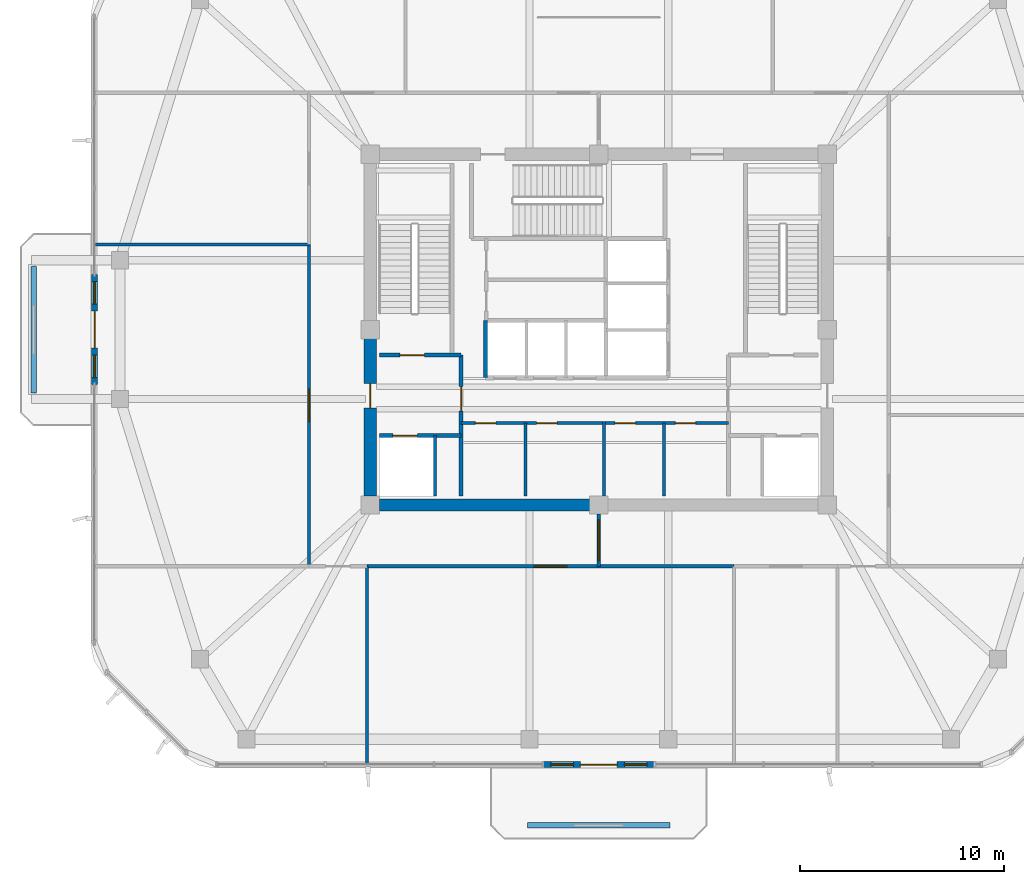
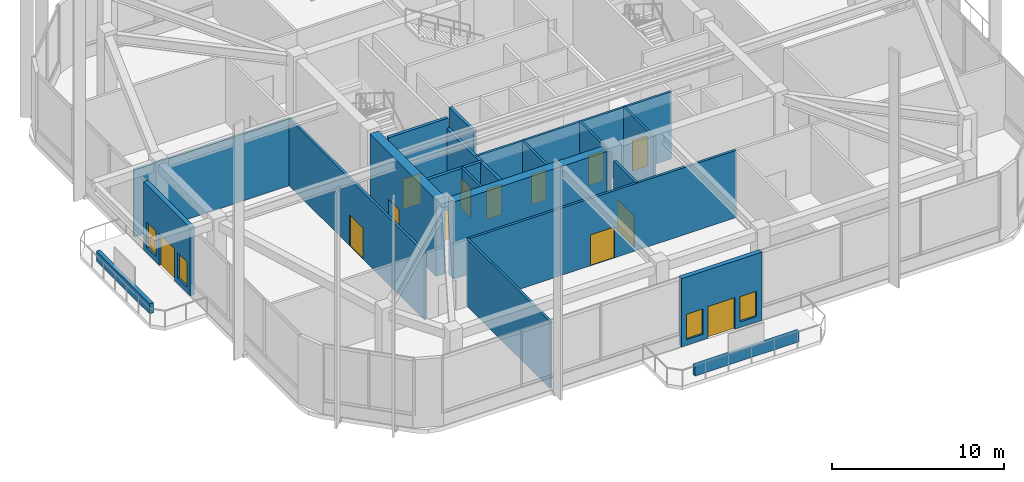
# One storey, part 7 of 14: 21 walls, 13 doors, 4 windows, 17 openings.
"""IFC4 building model written with IfcOpenShell, lengths in metres."""

from ifc_helpers import new_model, si_unit, derived_unit, direction, frame, frame_2d, origin, place, context, subcontext, project, spatial, rectangle, extrude, material, layer, layer_set, type_object, element, fill, save


model = new_model("IFC4")

# Units and contexts
model_context = context("Model", 3, precision=1e-05, world=origin(), true_north=direction((0.0, 1.0)))
body_context = subcontext(model_context, "Body", "Model", "MODEL_VIEW")
ifc_project = project(units=[si_unit("LENGTHUNIT", "METRE"), si_unit("AREAUNIT", "SQUARE_METRE"), si_unit("VOLUMEUNIT", "CUBIC_METRE"), si_unit("PLANEANGLEUNIT", "RADIAN"), si_unit("MASSUNIT", "GRAM", prefix="KILO"), derived_unit("THERMALTRANSMITTANCEUNIT", [(si_unit("POWERUNIT", "WATT"), 1), (si_unit("LENGTHUNIT", "METRE"), -2), (si_unit("THERMODYNAMICTEMPERATUREUNIT", "KELVIN"), -1)])], contexts=[model_context])

# Site, building, storey
site_placement = place(None, origin())
site = spatial("IfcSite", under=ifc_project, at=site_placement, CompositionType="ELEMENT")
building_placement = place(site_placement, origin())
building = spatial("IfcBuilding", under=site, at=building_placement, Name="Koralith Skygarden Medical Center", CompositionType="ELEMENT")
storey_placement = place(building_placement, frame((0.0, 0.0, 237.06005859375)))
storey = spatial("IfcBuildingStorey", under=building, at=storey_placement, Name="L61", CompositionType="ELEMENT", Elevation=237.06005859375)

# Wall, openings, doors
ifc_material_1 = material(Name="Gypsum Board Partition")
ifc_layer_1 = layer(ifc_material_1, 0.14990234375)
ifc_layer_set_1 = layer_set([ifc_layer_1], Name="Gypsum Board Partition")
wall_type_1 = type_object("IfcWallType", Name="Clinical Acoustic Partition 150", PredefinedType="PARTITIONING", material=ifc_layer_set_1)
wall_1_placement = place(storey_placement, frame((30.25, 21.320068359375, 0.0), z_axis=(0.0, 0.0, 1.0), x_axis=(1.0, 0.0, 0.0)))
wall_1 = element("IfcWall", 1, at=wall_1_placement, inside=storey, type_object=wall_type_1, Name="L61 Clinical Acoustic Partition 150 W-CORE-L61-FREED-LR-N", PredefinedType="PARTITIONING", context=body_context, shape_type="SweptSolid", body=[
    extrude(rectangle(XDim=7.0, YDim=0.14990234375, at=frame_2d((3.5, 0.0))), origin(), (0.0, 0.0, 1.0), 4.77001953125),
])
opening_1_placement = place(wall_1_placement, frame((0.699951171875, 0.0, 0.0)))
opening_1 = element("IfcOpeningElement", 2, at=opening_1_placement, cuts=wall_1, Name="Opening D-SUP", PredefinedType="OPENING", context=body_context, shape_type="SweptSolid", body=[
    extrude(rectangle(XDim=1.0, YDim=2.14990234375, at=frame_2d((0.5, 1.074951171875))), frame((0.0, 0.0849609375, 0.0), z_axis=(0.0, -1.0, 0.0), x_axis=(1.0, 0.0, 0.0)), (0.0, 0.0, 1.0), 0.169921875),
])
opening_2_placement = place(wall_1_placement, frame((3.699951171875, 0.0, 0.0)))
opening_2 = element("IfcOpeningElement", 3, at=opening_2_placement, cuts=wall_1, Name="Opening D-SUP", PredefinedType="OPENING", context=body_context, shape_type="SweptSolid", body=[
    extrude(rectangle(XDim=1.0, YDim=2.14990234375, at=frame_2d((0.5, 1.074951171875))), frame((0.0, 0.0849609375, 0.0), z_axis=(0.0, -1.0, 0.0), x_axis=(1.0, 0.0, 0.0)), (0.0, 0.0, 1.0), 0.169921875),
])
ifc_material_2 = material(Name="Aluminium 6063-T6", Category="aluminium")
door_type_1 = type_object("IfcDoorType", Name="Clinical Support Door D-SUP 1000", OperationType="NOTDEFINED", PredefinedType="DOOR", material=ifc_material_2)
door_1_placement = place(opening_1_placement, frame((1.0, 0.0, 0.0), z_axis=(0.0, 0.0, 1.0), x_axis=(-1.0, 0.0, 0.0)))
door_1 = element("IfcDoor", 4, at=door_1_placement, inside=storey, type_object=door_type_1, Name="L61 Medication Preparation Door", OperationType="SINGLE_SWING_LEFT", OverallHeight=2.14990234375, OverallWidth=1.0, PredefinedType="DOOR", context=body_context, shape_type="SweptSolid", body=[
    extrude(rectangle(XDim=1.0, YDim=2.14990234375, at=frame_2d((0.5, 1.074951171875))), frame((0.0, 0.02490234375, 0.0), z_axis=(0.0, -1.0, 0.0), x_axis=(1.0, 0.0, 0.0)), (0.0, 0.0, 1.0), 0.050048828125),
])
fill(opening_1, door_1)
door_2_placement = place(opening_2_placement, frame((1.0, 0.0, 0.0), z_axis=(0.0, 0.0, 1.0), x_axis=(-1.0, 0.0, 0.0)))
door_2 = element("IfcDoor", 5, at=door_2_placement, inside=storey, type_object=door_type_1, Name="L61 Telemetry Room Door", OperationType="SINGLE_SWING_RIGHT", OverallHeight=2.14990234375, OverallWidth=1.0, PredefinedType="DOOR", context=body_context, shape_type="SweptSolid", body=[
    extrude(rectangle(XDim=1.0, YDim=2.14990234375, at=frame_2d((0.5, 1.074951171875))), frame((0.0, 0.02490234375, 0.0), z_axis=(0.0, -1.0, 0.0), x_axis=(1.0, 0.0, 0.0)), (0.0, 0.0, 1.0), 0.050048828125),
])
fill(opening_2, door_2)

# Wall
wall_2_placement = place(storey_placement, frame((33.39990234375, 17.75, 0.0), z_axis=(0.0, 0.0, 1.0), x_axis=(0.0, 1.0, 0.0)))
element("IfcWall", 6, at=wall_2_placement, inside=storey, type_object=wall_type_1, Name="L61 Clinical Acoustic Partition 150 W-CORE-L61-FREED-LR-M", PredefinedType="PARTITIONING", context=body_context, shape_type="SweptSolid", body=[
    extrude(rectangle(XDim=3.570068359375, YDim=0.14990234375, at=frame_2d((1.78515625, 0.0))), origin(), (0.0, 0.0, 1.0), 4.77001953125),
])

# Wall, openings, doors
wall_3_placement = place(storey_placement, frame((37.25, 21.320068359375, 0.0), z_axis=(0.0, 0.0, 1.0), x_axis=(1.0, 0.0, 0.0)))
wall_3 = element("IfcWall", 7, at=wall_3_placement, inside=storey, type_object=wall_type_1, Name="L61 Clinical Acoustic Partition 150 W-CORE-L61-FREED-MR-N", PredefinedType="PARTITIONING", context=body_context, shape_type="SweptSolid", body=[
    extrude(rectangle(XDim=6.10009765625, YDim=0.14990234375, at=frame_2d((3.050048828125, 0.0))), origin(), (0.0, 0.0, 1.0), 4.77001953125),
])
opening_3_placement = place(wall_3_placement, frame((0.550048828125, 0.0, 0.0)))
opening_3 = element("IfcOpeningElement", 8, at=opening_3_placement, cuts=wall_3, Name="Opening D-SUP", PredefinedType="OPENING", context=body_context, shape_type="SweptSolid", body=[
    extrude(rectangle(XDim=1.0, YDim=2.14990234375, at=frame_2d((0.5, 1.074951171875))), frame((0.0, 0.0849609375, 0.0), z_axis=(0.0, -1.0, 0.0), x_axis=(1.0, 0.0, 0.0)), (0.0, 0.0, 1.0), 0.169921875),
])
opening_4_placement = place(wall_3_placement, frame((3.5, 0.0, 0.0)))
opening_4 = element("IfcOpeningElement", 9, at=opening_4_placement, cuts=wall_3, Name="Opening D-SUP", PredefinedType="OPENING", context=body_context, shape_type="SweptSolid", body=[
    extrude(rectangle(XDim=1.0, YDim=2.14990234375, at=frame_2d((0.5, 1.074951171875))), frame((0.0, 0.0849609375, 0.0), z_axis=(0.0, -1.0, 0.0), x_axis=(1.0, 0.0, 0.0)), (0.0, 0.0, 1.0), 0.169921875),
])
door_3_placement = place(opening_3_placement, frame((1.0, 0.0, 0.0), z_axis=(0.0, 0.0, 1.0), x_axis=(-1.0, 0.0, 0.0)))
door_3 = element("IfcDoor", 10, at=door_3_placement, inside=storey, type_object=door_type_1, Name="L61 Satellite Pharmacy Door", OperationType="SINGLE_SWING_LEFT", OverallHeight=2.14990234375, OverallWidth=1.0, PredefinedType="DOOR", context=body_context, shape_type="SweptSolid", body=[
    extrude(rectangle(XDim=1.0, YDim=2.14990234375, at=frame_2d((0.5, 1.074951171875))), frame((0.0, 0.02490234375, 0.0), z_axis=(0.0, -1.0, 0.0), x_axis=(1.0, 0.0, 0.0)), (0.0, 0.0, 1.0), 0.050048828125),
])
fill(opening_3, door_3)
door_4_placement = place(opening_4_placement, frame((1.0, 0.0, 0.0), z_axis=(0.0, 0.0, 1.0), x_axis=(-1.0, 0.0, 0.0)))
door_4 = element("IfcDoor", 11, at=door_4_placement, inside=storey, type_object=door_type_1, Name="L61 Biomedical Equipment Door", OperationType="SINGLE_SWING_RIGHT", OverallHeight=2.14990234375, OverallWidth=1.0, PredefinedType="DOOR", context=body_context, shape_type="SweptSolid", body=[
    extrude(rectangle(XDim=1.0, YDim=2.14990234375, at=frame_2d((0.5, 1.074951171875))), frame((0.0, 0.02490234375, 0.0), z_axis=(0.0, -1.0, 0.0), x_axis=(1.0, 0.0, 0.0)), (0.0, 0.0, 1.0), 0.050048828125),
])
fill(opening_4, door_4)

# Walls
wall_4_placement = place(storey_placement, frame((40.199951171875, 17.75, 0.0), z_axis=(0.0, 0.0, 1.0), x_axis=(0.0, 1.0, 0.0)))
element("IfcWall", 12, at=wall_4_placement, inside=storey, type_object=wall_type_1, Name="L61 Clinical Acoustic Partition 150 W-CORE-L61-FREED-MR-M", PredefinedType="PARTITIONING", context=body_context, shape_type="SweptSolid", body=[
    extrude(rectangle(XDim=3.570068359375, YDim=0.14990234375, at=frame_2d((1.78515625, 0.0))), origin(), (0.0, 0.0, 1.0), 4.77001953125),
])
wall_5_placement = place(storey_placement, frame((25.634033203125, 14.2900390625, 0.0), z_axis=(0.0, 0.0, 1.0), x_axis=(0.0, -1.0, 0.0)))
element("IfcWall", 13, at=wall_5_placement, inside=storey, type_object=wall_type_1, Name="L61 Clinical Acoustic Partition 150 W-AMPART-L61-S-1", PredefinedType="PARTITIONING", context=body_context, shape_type="SweptSolid", body=[
    extrude(rectangle(XDim=9.68994140625, YDim=0.14990234375, at=frame_2d((4.844970703125, 0.0))), origin(), (0.0, 0.0, 1.0), 4.77001953125),
])
wall_6_placement = place(storey_placement, frame((22.7900390625, 30.080078125, 0.0), z_axis=(0.0, 0.0, 1.0), x_axis=(-1.0, 0.0, 0.0)))
element("IfcWall", 14, at=wall_6_placement, inside=storey, type_object=wall_type_1, Name="L61 Clinical Acoustic Partition 150 W-AMPART-L61-W-1", PredefinedType="PARTITIONING", context=body_context, shape_type="SweptSolid", body=[
    extrude(rectangle(XDim=10.489990234375, YDim=0.14990234375, at=frame_2d((5.2451171875, 0.0))), origin(), (0.0, 0.0, 1.0), 4.77001953125),
])

# Wall, opening, door
ifc_layer_2 = layer(ifc_material_1, 0.1650390625)
ifc_layer_set_2 = layer_set([ifc_layer_2], Name="Gypsum Board Partition")
wall_type_2 = type_object("IfcWallType", Name="Clinical Corridor Partition 165", PredefinedType="PARTITIONING", material=ifc_layer_set_2)
wall_7_placement = place(storey_placement, frame((25.634033203125, 14.2900390625, 0.0), z_axis=(0.0, 0.0, 1.0), x_axis=(1.0, 0.0, 0.0)))
wall_7 = element("IfcWall", 15, at=wall_7_placement, inside=storey, type_object=wall_type_2, Name="L61 Clinical Corridor Partition 165 W-AMCOR-L61-S-2", PredefinedType="PARTITIONING", context=body_context, shape_type="SweptSolid", body=[
    extrude(rectangle(XDim=17.995849609375, YDim=0.1650390625, at=frame_2d((8.998046875, 0.0))), origin(), (0.0, 0.0, 1.0), 4.77001953125),
])
opening_5_placement = place(wall_7_placement, frame((8.197998046875, 0.0, 0.0)))
opening_5 = element("IfcOpeningElement", 16, at=opening_5_placement, cuts=wall_7, Name="Opening D-DBL", PredefinedType="OPENING", context=body_context, shape_type="SweptSolid", body=[
    extrude(rectangle(XDim=1.60009765625, YDim=2.199951171875, at=frame_2d((0.800048828125, 1.10009765625))), frame((0.0, 0.092529296875, 0.0), z_axis=(0.0, -1.0, 0.0), x_axis=(1.0, 0.0, 0.0)), (0.0, 0.0, 1.0), 0.18505859375),
])
door_type_2 = type_object("IfcDoorType", Name="Double Clinical Suite Door D-DBL 1600", OperationType="NOTDEFINED", PredefinedType="DOOR", material=ifc_material_2)
door_5_placement = place(opening_5_placement, frame((1.60009765625, 0.0, 0.0), z_axis=(0.0, 0.0, 1.0), x_axis=(-1.0, 0.0, 0.0)))
door_5 = element("IfcDoor", 17, at=door_5_placement, inside=storey, type_object=door_type_2, Name="L61 South Sky-Garden Verandah Lounge Door", OperationType="DOUBLE_DOOR_SINGLE_SWING", OverallHeight=2.199951171875, OverallWidth=1.60009765625, PredefinedType="DOOR", context=body_context, shape_type="SweptSolid", body=[
    extrude(rectangle(XDim=1.60009765625, YDim=2.199951171875, at=frame_2d((0.800048828125, 1.10009765625))), frame((0.0, 0.02490234375, 0.0), z_axis=(0.0, -1.0, 0.0), x_axis=(1.0, 0.0, 0.0)), (0.0, 0.0, 1.0), 0.050048828125),
])
fill(opening_5, door_5)

wall_8_placement = place(storey_placement, frame((22.7900390625, 14.2900390625, 0.0), z_axis=(0.0, 0.0, 1.0), x_axis=(0.0, 1.0, 0.0)))
wall_8 = element("IfcWall", 18, at=wall_8_placement, inside=storey, type_object=wall_type_2, Name="L61 Clinical Corridor Partition 165 W-AMCOR-L61-W-1", PredefinedType="PARTITIONING", context=body_context, shape_type="SweptSolid", body=[
    extrude(rectangle(XDim=15.7900390625, YDim=0.1650390625, at=frame_2d((7.89501953125, 0.0))), origin(), (0.0, 0.0, 1.0), 4.77001953125),
])
opening_6_placement = place(wall_8_placement, frame((7.094970703125, 0.0, 0.0)))
opening_6 = element("IfcOpeningElement", 19, at=opening_6_placement, cuts=wall_8, Name="Opening D-DBL", PredefinedType="OPENING", context=body_context, shape_type="SweptSolid", body=[
    extrude(rectangle(XDim=1.60009765625, YDim=2.199951171875, at=frame_2d((0.800048828125, 1.10009765625))), frame((0.0, 0.092529296875, 0.0), z_axis=(0.0, -1.0, 0.0), x_axis=(1.0, 0.0, 0.0)), (0.0, 0.0, 1.0), 0.18505859375),
])
door_6_placement = place(opening_6_placement, frame((1.60009765625, 0.0, 0.0), z_axis=(0.0, 0.0, 1.0), x_axis=(-1.0, 0.0, 0.0)))
door_6 = element("IfcDoor", 20, at=door_6_placement, inside=storey, type_object=door_type_2, Name="L61 West Sky-Garden Verandah Lounge Door", OperationType="DOUBLE_DOOR_SINGLE_SWING", OverallHeight=2.199951171875, OverallWidth=1.60009765625, PredefinedType="DOOR", context=body_context, shape_type="SweptSolid", body=[
    extrude(rectangle(XDim=1.60009765625, YDim=2.199951171875, at=frame_2d((0.800048828125, 1.10009765625))), frame((0.0, 0.02490234375, 0.0), z_axis=(0.0, -1.0, 0.0), x_axis=(1.0, 0.0, 0.0)), (0.0, 0.0, 1.0), 0.050048828125),
])
fill(opening_6, door_6)

ifc_layer_3 = layer(ifc_material_1, 0.199951171875)
ifc_layer_set_3 = layer_set([ifc_layer_3], Name="Gypsum Board Partition")
wall_type_3 = type_object("IfcWallType", Name="Fire Shaft Wall 200", PredefinedType="SOLIDWALL", material=ifc_layer_set_3)
wall_9_placement = place(storey_placement, frame((26.25, 20.699951171875, 0.0), z_axis=(0.0, 0.0, 1.0), x_axis=(1.0, 0.0, 0.0)))
wall_9 = element("IfcWall", 21, at=wall_9_placement, inside=storey, type_object=wall_type_3, Name="L61 Fire Shaft Wall 200 W-CORE-L61-FF1-N", PredefinedType="SOLIDWALL", context=body_context, shape_type="SweptSolid", body=[
    extrude(rectangle(XDim=4.0, YDim=0.199951171875, at=frame_2d((2.0, 0.0))), origin(), (0.0, 0.0, 1.0), 4.77001953125),
])
opening_7_placement = place(wall_9_placement, frame((0.64990234375, 0.0, 0.0)))
opening_7 = element("IfcOpeningElement", 22, at=opening_7_placement, cuts=wall_9, Name="Opening LD-FF", PredefinedType="OPENING", context=body_context, shape_type="SweptSolid", body=[
    extrude(rectangle(XDim=1.199951171875, YDim=2.14990234375, at=frame_2d((0.60009765625, 1.074951171875))), frame((0.0, 0.10986328125, 0.0), z_axis=(0.0, -1.0, 0.0), x_axis=(1.0, 0.0, 0.0)), (0.0, 0.0, 1.0), 0.219970703125),
])
ifc_material_3 = material(Name="Steel ASTM A500 Grade C", Category="steel")
door_type_3 = type_object("IfcDoorType", Name="Fire Lift Sliding Landing Door LD-FF 1200", OperationType="NOTDEFINED", PredefinedType="DOOR", material=ifc_material_3)
door_7_placement = place(opening_7_placement, origin())
door_7 = element("IfcDoor", 23, at=door_7_placement, inside=storey, type_object=door_type_3, Name="L61 Fire Service Elevator FF1 Landing Door", OperationType="SLIDING_TO_LEFT", OverallHeight=2.14990234375, OverallWidth=1.199951171875, PredefinedType="DOOR", context=body_context, shape_type="SweptSolid", body=[
    extrude(rectangle(XDim=1.199951171875, YDim=2.14990234375, at=frame_2d((0.60009765625, 1.074951171875))), frame((0.0, 0.02490234375, 0.0), z_axis=(0.0, -1.0, 0.0), x_axis=(1.0, 0.0, 0.0)), (0.0, 0.0, 1.0), 0.050048828125),
])
fill(opening_7, door_7)

wall_10_placement = place(storey_placement, frame((30.25, 17.75, 0.0), z_axis=(0.0, 0.0, 1.0), x_axis=(0.0, 1.0, 0.0)))
wall_10 = element("IfcWall", 24, at=wall_10_placement, inside=storey, type_object=wall_type_3, Name="L61 Fire Shaft Wall 200 W-CORE-L61-FSAEW-E", PredefinedType="SOLIDWALL", context=body_context, shape_type="SweptSolid", body=[
    extrude(rectangle(XDim=6.89990234375, YDim=0.199951171875, at=frame_2d((3.449951171875, 0.0))), origin(), (0.0, 0.0, 1.0), 4.77001953125),
])
opening_8_placement = place(wall_10_placement, frame((4.14990234375, 0.0, 0.0)))
opening_8 = element("IfcOpeningElement", 25, at=opening_8_placement, cuts=wall_10, Name="Opening D-ST60", PredefinedType="OPENING", context=body_context, shape_type="SweptSolid", body=[
    extrude(rectangle(XDim=1.199951171875, YDim=2.14990234375, at=frame_2d((0.60009765625, 1.074951171875))), frame((0.0, 0.10986328125, 0.0), z_axis=(0.0, -1.0, 0.0), x_axis=(1.0, 0.0, 0.0)), (0.0, 0.0, 1.0), 0.219970703125),
])
door_type_4 = type_object("IfcDoorType", Name="Smokeproof Stair Fire Door FD60S 1200", OperationType="NOTDEFINED", PredefinedType="DOOR", material=ifc_material_3)
door_8_placement = place(opening_8_placement, origin())
door_8 = element("IfcDoor", 26, at=door_8_placement, inside=storey, type_object=door_type_4, Name="L61 West Firefighting Lobby Inner Fire Door", OperationType="SINGLE_SWING_LEFT", OverallHeight=2.14990234375, OverallWidth=1.199951171875, PredefinedType="DOOR", context=body_context, shape_type="SweptSolid", body=[
    extrude(rectangle(XDim=1.199951171875, YDim=2.14990234375, at=frame_2d((0.60009765625, 1.074951171875))), frame((0.0, 0.02490234375, 0.0), z_axis=(0.0, -1.0, 0.0), x_axis=(1.0, 0.0, 0.0)), (0.0, 0.0, 1.0), 0.050048828125),
])
fill(opening_8, door_8)

# Wall
wall_11_placement = place(storey_placement, frame((31.449951171875, 23.5400390625, 0.0), z_axis=(0.0, 0.0, 1.0), x_axis=(0.0, 1.0, 0.0)))
element("IfcWall", 27, at=wall_11_placement, inside=storey, type_object=wall_type_3, Name="L61 Fire Shaft Wall 200 W-CORE-L61-PH-W", PredefinedType="SOLIDWALL", context=body_context, shape_type="SweptSolid", body=[
    extrude(rectangle(XDim=2.81005859375, YDim=0.199951171875, at=frame_2d((1.405029296875, 0.0))), origin(), (0.0, 0.0, 1.0), 4.77001953125),
])

# Wall, opening, door
ifc_layer_4 = layer(ifc_material_1, 0.179931640625)
ifc_layer_set_4 = layer_set([ifc_layer_4], Name="Gypsum Board Partition")
wall_type_4 = type_object("IfcWallType", Name="Group I-2 Smoke Barrier Wall 180", PredefinedType="PARTITIONING", material=ifc_layer_set_4)
wall_12_placement = place(storey_placement, frame((37.0, 14.2900390625, 0.0), z_axis=(0.0, 0.0, 1.0), x_axis=(0.0, 1.0, 0.0)))
wall_12 = element("IfcWall", 28, at=wall_12_placement, inside=storey, type_object=wall_type_4, Name="L61 Group I-2 Smoke Barrier Wall 180 W-SMK-L61-S", PredefinedType="PARTITIONING", context=body_context, shape_type="SweptSolid", body=[
    extrude(rectangle(XDim=2.56005859375, YDim=0.179931640625, at=frame_2d((1.280029296875, 0.0))), origin(), (0.0, 0.0, 1.0), 4.77001953125),
])
opening_9_placement = place(wall_12_placement, frame((0.280029296875, 0.0, 0.0)))
opening_9 = element("IfcOpeningElement", 29, at=opening_9_placement, cuts=wall_12, Name="Opening D-SMK", PredefinedType="OPENING", context=body_context, shape_type="SweptSolid", body=[
    extrude(rectangle(XDim=2.0, YDim=2.199951171875, at=frame_2d((1.0, 1.10009765625))), frame((0.0, 0.099853515625, 0.0), z_axis=(0.0, -1.0, 0.0), x_axis=(1.0, 0.0, 0.0)), (0.0, 0.0, 1.0), 0.199951171875),
])
door_type_5 = type_object("IfcDoorType", Name="Cross-Corridor Double Smoke Door FD60S 2000", OperationType="NOTDEFINED", PredefinedType="DOOR", material=ifc_material_3)
door_9_placement = place(opening_9_placement, frame((2.0, 0.0, 0.0), z_axis=(0.0, 0.0, 1.0), x_axis=(-1.0, 0.0, 0.0)))
door_9 = element("IfcDoor", 30, at=door_9_placement, inside=storey, type_object=door_type_5, Name="L61 S Smoke Compartment Cross-Corridor Door", OperationType="DOUBLE_DOOR_SINGLE_SWING", OverallHeight=2.199951171875, OverallWidth=2.0, PredefinedType="DOOR", context=body_context, shape_type="SweptSolid", body=[
    extrude(rectangle(XDim=2.0, YDim=2.199951171875, at=frame_2d((1.0, 1.10009765625))), frame((0.0, 0.02490234375, 0.0), z_axis=(0.0, -1.0, 0.0), x_axis=(1.0, 0.0, 0.0)), (0.0, 0.0, 1.0), 0.050048828125),
])
fill(opening_9, door_9)

# Wall, openings, door, windows
ifc_material_4 = material(Name="Warm Oolitic Limestone Cladding", Category="masonry")
ifc_layer_5 = layer(ifc_material_4, 0.300048828125)
ifc_layer_set_5 = layer_set([ifc_layer_5], Name="Warm Oolitic Limestone Cladding")
wall_type_5 = type_object("IfcWallType", Name="Oolitic Limestone Insulated Facade Wall 300", PredefinedType="SOLIDWALL", material=ifc_layer_set_5)
wall_13_placement = place(storey_placement, frame((34.299072265625, 4.580078125, 0.0), z_axis=(0.0, 0.0, 1.0), x_axis=(1.0, 0.0, 0.0)))
wall_13 = element("IfcWall", 31, at=wall_13_placement, inside=storey, type_object=wall_type_5, Name="L61 Terrace Portal Wall S", PredefinedType="SOLIDWALL", context=body_context, shape_type="SweptSolid", body=[
    extrude(rectangle(XDim=5.39990234375, YDim=0.300048828125, at=frame_2d((2.699951171875, 0.0))), origin(), (0.0, 0.0, 1.0), 4.849853515625),
])
opening_10_placement = place(wall_13_placement, frame((1.800048828125, 0.0, 0.0)))
opening_10 = element("IfcOpeningElement", 32, at=opening_10_placement, cuts=wall_13, Name="Opening D-SG", PredefinedType="OPENING", context=body_context, shape_type="SweptSolid", body=[
    extrude(rectangle(XDim=1.800048828125, YDim=2.25, at=frame_2d((0.89990234375, 1.125))), frame((0.0, 0.159912109375, 0.0), z_axis=(0.0, -1.0, 0.0), x_axis=(1.0, 0.0, 0.0)), (0.0, 0.0, 1.0), 0.320068359375),
])
opening_11_placement = place(wall_13_placement, frame((0.35009765625, 0.0, 0.39990234375)))
opening_11 = element("IfcOpeningElement", 33, at=opening_11_placement, cuts=wall_13, Name="Opening W-04", PredefinedType="OPENING", context=body_context, shape_type="SweptSolid", body=[
    extrude(rectangle(XDim=1.10009765625, YDim=1.800048828125, at=frame_2d((0.550048828125, 0.89990234375))), frame((0.0, 0.159912109375, 0.0), z_axis=(0.0, -1.0, 0.0), x_axis=(1.0, 0.0, 0.0)), (0.0, 0.0, 1.0), 0.320068359375),
])
opening_12_placement = place(wall_13_placement, frame((3.949951171875, 0.0, 0.39990234375)))
opening_12 = element("IfcOpeningElement", 34, at=opening_12_placement, cuts=wall_13, Name="Opening W-04", PredefinedType="OPENING", context=body_context, shape_type="SweptSolid", body=[
    extrude(rectangle(XDim=1.10009765625, YDim=1.800048828125, at=frame_2d((0.550048828125, 0.89990234375))), frame((0.0, 0.159912109375, 0.0), z_axis=(0.0, -1.0, 0.0), x_axis=(1.0, 0.0, 0.0)), (0.0, 0.0, 1.0), 0.320068359375),
])
door_type_6 = type_object("IfcDoorType", Name="Sky-Garden Double Terrace Door D-SG 1800", OperationType="NOTDEFINED", PredefinedType="DOOR", material=ifc_material_2)
door_10_placement = place(opening_10_placement, origin())
door_10 = element("IfcDoor", 35, at=door_10_placement, inside=storey, type_object=door_type_6, Name="L61 S Outdoor Terrace Access Door", OperationType="DOUBLE_DOOR_SINGLE_SWING", OverallHeight=2.25, OverallWidth=1.800048828125, PredefinedType="DOOR", context=body_context, shape_type="SweptSolid", body=[
    extrude(rectangle(XDim=1.800048828125, YDim=2.25, at=frame_2d((0.89990234375, 1.125))), frame((0.0, 0.02490234375, 0.0), z_axis=(0.0, -1.0, 0.0), x_axis=(1.0, 0.0, 0.0)), (0.0, 0.0, 1.0), 0.050048828125),
])
fill(opening_10, door_10)
ifc_material_5 = material(Name="Clear Laminated Glass", Category="glass")
window_type = type_object("IfcWindowType", Name="Sky-Garden Portal Sidelight Window W-04 1100x1800", PartitioningType="SINGLE_PANEL", PredefinedType="WINDOW", material=ifc_material_5)
window_1_placement = place(opening_11_placement, origin())
window_1 = element("IfcWindow", 36, at=window_1_placement, inside=storey, type_object=window_type, Name="L61 S Portal Sidelight 1", OverallHeight=1.800048828125, OverallWidth=1.10009765625, PartitioningType="SINGLE_PANEL", PredefinedType="WINDOW", context=body_context, shape_type="SweptSolid", body=[
    extrude(rectangle(XDim=1.10009765625, YDim=1.800048828125, at=frame_2d((0.550048828125, 0.89990234375))), frame((0.0, 0.030029296875, 0.0), z_axis=(0.0, -1.0, 0.0), x_axis=(1.0, 0.0, 0.0)), (0.0, 0.0, 1.0), 0.06005859375),
])
fill(opening_11, window_1)
window_2_placement = place(opening_12_placement, origin())
window_2 = element("IfcWindow", 37, at=window_2_placement, inside=storey, type_object=window_type, Name="L61 S Portal Sidelight 2", OverallHeight=1.800048828125, OverallWidth=1.10009765625, PartitioningType="SINGLE_PANEL", PredefinedType="WINDOW", context=body_context, shape_type="SweptSolid", body=[
    extrude(rectangle(XDim=1.10009765625, YDim=1.800048828125, at=frame_2d((0.550048828125, 0.89990234375))), frame((0.0, 0.030029296875, 0.0), z_axis=(0.0, -1.0, 0.0), x_axis=(1.0, 0.0, 0.0)), (0.0, 0.0, 1.0), 0.06005859375),
])
fill(opening_12, window_2)

wall_14_placement = place(storey_placement, frame((12.280029296875, 28.60009765625, 0.0), z_axis=(0.0, 0.0, 1.0), x_axis=(0.0, -1.0, 0.0)))
wall_14 = element("IfcWall", 38, at=wall_14_placement, inside=storey, type_object=wall_type_5, Name="L61 Terrace Portal Wall W", PredefinedType="SOLIDWALL", context=body_context, shape_type="SweptSolid", body=[
    extrude(rectangle(XDim=5.400146484375, YDim=0.300048828125, at=frame_2d((2.7001953125, 0.0))), origin(), (0.0, 0.0, 1.0), 4.849853515625),
])
opening_13_placement = place(wall_14_placement, frame((1.800048828125, 0.0, 0.0)))
opening_13 = element("IfcOpeningElement", 39, at=opening_13_placement, cuts=wall_14, Name="Opening D-SG", PredefinedType="OPENING", context=body_context, shape_type="SweptSolid", body=[
    extrude(rectangle(XDim=1.800048828125, YDim=2.25, at=frame_2d((0.89990234375, 1.125))), frame((0.0, 0.159912109375, 0.0), z_axis=(0.0, -1.0, 0.0), x_axis=(1.0, 0.0, 0.0)), (0.0, 0.0, 1.0), 0.320068359375),
])
opening_14_placement = place(wall_14_placement, frame((0.35009765625, 0.0, 0.39990234375)))
opening_14 = element("IfcOpeningElement", 40, at=opening_14_placement, cuts=wall_14, Name="Opening W-04", PredefinedType="OPENING", context=body_context, shape_type="SweptSolid", body=[
    extrude(rectangle(XDim=1.10009765625, YDim=1.800048828125, at=frame_2d((0.550048828125, 0.89990234375))), frame((0.0, 0.159912109375, 0.0), z_axis=(0.0, -1.0, 0.0), x_axis=(1.0, 0.0, 0.0)), (0.0, 0.0, 1.0), 0.320068359375),
])
opening_15_placement = place(wall_14_placement, frame((3.949951171875, 0.0, 0.39990234375)))
opening_15 = element("IfcOpeningElement", 41, at=opening_15_placement, cuts=wall_14, Name="Opening W-04", PredefinedType="OPENING", context=body_context, shape_type="SweptSolid", body=[
    extrude(rectangle(XDim=1.10009765625, YDim=1.800048828125, at=frame_2d((0.550048828125, 0.89990234375))), frame((0.0, 0.159912109375, 0.0), z_axis=(0.0, -1.0, 0.0), x_axis=(1.0, 0.0, 0.0)), (0.0, 0.0, 1.0), 0.320068359375),
])
door_11_placement = place(opening_13_placement, origin())
door_11 = element("IfcDoor", 42, at=door_11_placement, inside=storey, type_object=door_type_6, Name="L61 W Outdoor Terrace Access Door", OperationType="DOUBLE_DOOR_SINGLE_SWING", OverallHeight=2.25, OverallWidth=1.800048828125, PredefinedType="DOOR", context=body_context, shape_type="SweptSolid", body=[
    extrude(rectangle(XDim=1.800048828125, YDim=2.25, at=frame_2d((0.89990234375, 1.125))), frame((0.0, 0.02490234375, 0.0), z_axis=(0.0, -1.0, 0.0), x_axis=(1.0, 0.0, 0.0)), (0.0, 0.0, 1.0), 0.050048828125),
])
fill(opening_13, door_11)
window_3_placement = place(opening_14_placement, origin())
window_3 = element("IfcWindow", 43, at=window_3_placement, inside=storey, type_object=window_type, Name="L61 W Portal Sidelight 1", OverallHeight=1.800048828125, OverallWidth=1.10009765625, PartitioningType="SINGLE_PANEL", PredefinedType="WINDOW", context=body_context, shape_type="SweptSolid", body=[
    extrude(rectangle(XDim=1.10009765625, YDim=1.800048828125, at=frame_2d((0.550048828125, 0.89990234375))), frame((0.0, 0.030029296875, 0.0), z_axis=(0.0, -1.0, 0.0), x_axis=(1.0, 0.0, 0.0)), (0.0, 0.0, 1.0), 0.06005859375),
])
fill(opening_14, window_3)
window_4_placement = place(opening_15_placement, origin())
window_4 = element("IfcWindow", 44, at=window_4_placement, inside=storey, type_object=window_type, Name="L61 W Portal Sidelight 2", OverallHeight=1.800048828125, OverallWidth=1.10009765625, PartitioningType="SINGLE_PANEL", PredefinedType="WINDOW", context=body_context, shape_type="SweptSolid", body=[
    extrude(rectangle(XDim=1.10009765625, YDim=1.800048828125, at=frame_2d((0.550048828125, 0.89990234375))), frame((0.0, 0.030029296875, 0.0), z_axis=(0.0, -1.0, 0.0), x_axis=(1.0, 0.0, 0.0)), (0.0, 0.0, 1.0), 0.06005859375),
])
fill(opening_15, window_4)

# Walls
ifc_layer_6 = layer(ifc_material_1, 0.14990234375)
ifc_layer_set_6 = layer_set([ifc_layer_6], Name="Gypsum Board Partition")
wall_type_6 = type_object("IfcWallType", Name="Shaft Partition Wall 150", PredefinedType="PARTITIONING", material=ifc_layer_set_6)
wall_15_placement = place(storey_placement, frame((28.969970703125, 17.75, 0.0), z_axis=(0.0, 0.0, 1.0), x_axis=(0.0, 1.0, 0.0)))
element("IfcWall", 45, at=wall_15_placement, inside=storey, type_object=wall_type_6, Name="L61 Shaft Partition Wall 150 W-CORE-L61-RSRW-DIV", PredefinedType="PARTITIONING", context=body_context, shape_type="SweptSolid", body=[
    extrude(rectangle(XDim=2.949951171875, YDim=0.14990234375, at=frame_2d((1.47509765625, 0.0))), origin(), (0.0, 0.0, 1.0), 4.77001953125),
])
wall_16_placement = place(storey_placement, frame((37.25, 17.75, 0.0), z_axis=(0.0, 0.0, 1.0), x_axis=(0.0, 1.0, 0.0)))
element("IfcWall", 46, at=wall_16_placement, inside=storey, type_object=wall_type_6, Name="L61 Shaft Partition Wall 150 W-CORE-L61-PL-PM-SEP", PredefinedType="PARTITIONING", context=body_context, shape_type="SweptSolid", body=[
    extrude(rectangle(XDim=3.64990234375, YDim=0.14990234375, at=frame_2d((1.824951171875, 0.0))), origin(), (0.0, 0.0, 1.0), 4.77001953125),
])
ifc_material_6 = material(Name="Precast concrete C40/50", Category="concrete")
ifc_layer_7 = layer(ifc_material_6, 0.25)
ifc_layer_set_7 = layer_set([ifc_layer_7], Name="Precast concrete C40/50")
wall_type_7 = type_object("IfcWallType", Name="Structural Concrete Balcony Planter Kerb 250", PredefinedType="PARAPET", material=ifc_layer_set_7)
wall_17_placement = place(storey_placement, frame((33.5, 1.60009765625, 0.0), z_axis=(0.0, 0.0, 1.0), x_axis=(1.0, 0.0, 0.0)))
element("IfcWall", 47, at=wall_17_placement, inside=storey, type_object=wall_type_7, Name="L61 S Structural Tree PLANTER Box", PredefinedType="PARAPET", context=body_context, shape_type="SweptSolid", body=[
    extrude(rectangle(XDim=7.0, YDim=0.25, at=frame_2d((3.5, 0.0))), origin(), (0.0, 0.0, 1.0), 0.719970703125),
])
wall_18_placement = place(storey_placement, frame((9.300048828125, 22.800048828125, 0.0), z_axis=(0.0, 0.0, 1.0), x_axis=(0.0, 1.0, 0.0)))
element("IfcWall", 48, at=wall_18_placement, inside=storey, type_object=wall_type_7, Name="L61 W Structural Tree PLANTER Box", PredefinedType="PARAPET", context=body_context, shape_type="SweptSolid", body=[
    extrude(rectangle(XDim=6.199951171875, YDim=0.25, at=frame_2d((3.10009765625, 0.0))), origin(), (0.0, 0.0, 1.0), 0.719970703125),
])

# Wall, opening, door
ifc_material_7 = material(Name="Concrete C45/55", Category="concrete")
ifc_layer_8 = layer(ifc_material_7, 0.199951171875)
ifc_layer_set_8 = layer_set([ifc_layer_8], Name="Concrete C45/55")
wall_type_8 = type_object("IfcWallType", Name="Structural Stair Shaft Wall 200", PredefinedType="SHEAR", material=ifc_layer_set_8)
wall_19_placement = place(storey_placement, frame((26.25, 24.64990234375, 0.0), z_axis=(0.0, 0.0, 1.0), x_axis=(1.0, 0.0, 0.0)))
wall_19 = element("IfcWall", 49, at=wall_19_placement, inside=storey, type_object=wall_type_8, Name="L61 Structural Stair Shaft Wall 200 W-CORE-L61-ST1-S", PredefinedType="SHEAR", context=body_context, shape_type="SweptSolid", body=[
    extrude(rectangle(XDim=4.0, YDim=0.199951171875, at=frame_2d((2.0, 0.0))), origin(), (0.0, 0.0, 1.0), 5.47998046875),
])
opening_16_placement = place(wall_19_placement, frame((1.0, 0.0, 0.0)))
opening_16 = element("IfcOpeningElement", 50, at=opening_16_placement, cuts=wall_19, Name="Opening D-ST60", PredefinedType="OPENING", context=body_context, shape_type="SweptSolid", body=[
    extrude(rectangle(XDim=1.199951171875, YDim=2.14990234375, at=frame_2d((0.60009765625, 1.074951171875))), frame((0.0, 0.10986328125, 0.0), z_axis=(0.0, -1.0, 0.0), x_axis=(1.0, 0.0, 0.0)), (0.0, 0.0, 1.0), 0.219970703125),
])
door_12_placement = place(opening_16_placement, origin())
door_12 = element("IfcDoor", 51, at=door_12_placement, inside=storey, type_object=door_type_4, Name="L61 Exit Stair ST1 Fire Door", OperationType="SINGLE_SWING_LEFT", OverallHeight=2.14990234375, OverallWidth=1.199951171875, PredefinedType="DOOR", context=body_context, shape_type="SweptSolid", body=[
    extrude(rectangle(XDim=1.199951171875, YDim=2.14990234375, at=frame_2d((0.60009765625, 1.074951171875))), frame((0.0, 0.02490234375, 0.0), z_axis=(0.0, -1.0, 0.0), x_axis=(1.0, 0.0, 0.0)), (0.0, 0.0, 1.0), 0.050048828125),
])
fill(opening_16, door_12)

# Wall
ifc_material_8 = material(Name="Concrete C55/67", Category="concrete")
ifc_layer_9 = layer(ifc_material_8, 0.60009765625)
ifc_layer_set_9 = layer_set([ifc_layer_9], Name="Concrete C55/67")
wall_type_9 = type_object("IfcWallType", Name="Upper Core Shear Wall 600", PredefinedType="SHEAR", material=ifc_layer_set_9)
wall_20_placement = place(storey_placement, frame((26.2451171875, 17.300048828125, 0.0), z_axis=(0.0, 0.0, 1.0), x_axis=(1.0, 0.0, 0.0)))
element("IfcWall", 52, at=wall_20_placement, inside=storey, type_object=wall_type_9, Name="L61 Core Shear Wall Segment 1", PredefinedType="SHEAR", context=body_context, shape_type="SweptSolid", body=[
    extrude(rectangle(XDim=10.309814453125, YDim=0.60009765625, at=frame_2d((5.15478515625, 0.0))), origin(), (0.0, 0.0, 1.0), 5.47998046875),
])

# Wall, opening, door
wall_21_placement = place(storey_placement, frame((25.800048828125, 25.455078125, 0.0), z_axis=(0.0, 0.0, 1.0), x_axis=(0.0, -1.0, 0.0)))
wall_21 = element("IfcWall", 53, at=wall_21_placement, inside=storey, type_object=wall_type_9, Name="L61 Core Shear Wall Segment 8", PredefinedType="SHEAR", context=body_context, shape_type="SweptSolid", body=[
    extrude(rectangle(XDim=7.7099609375, YDim=0.60009765625, at=frame_2d((3.85498046875, 0.0))), origin(), (0.0, 0.0, 1.0), 5.47998046875),
])
opening_17_placement = place(wall_21_placement, frame((2.205078125, 0.0, 0.0)))
opening_17 = element("IfcOpeningElement", 54, at=opening_17_placement, cuts=wall_21, Name="Opening D-ST60", PredefinedType="OPENING", context=body_context, shape_type="SweptSolid", body=[
    extrude(rectangle(XDim=1.199951171875, YDim=2.14990234375, at=frame_2d((0.60009765625, 1.074951171875))), frame((0.0, 0.31005859375, 0.0), z_axis=(0.0, -1.0, 0.0), x_axis=(1.0, 0.0, 0.0)), (0.0, 0.0, 1.0), 0.6201171875),
])
door_13_placement = place(opening_17_placement, frame((1.199951171875, 0.0, 0.0), z_axis=(0.0, 0.0, 1.0), x_axis=(-1.0, 0.0, 0.0)))
door_13 = element("IfcDoor", 55, at=door_13_placement, inside=storey, type_object=door_type_4, Name="L61 West Corridor to Firefighting Lobby Door", OperationType="SINGLE_SWING_LEFT", OverallHeight=2.14990234375, OverallWidth=1.199951171875, PredefinedType="DOOR", context=body_context, shape_type="SweptSolid", body=[
    extrude(rectangle(XDim=1.199951171875, YDim=2.14990234375, at=frame_2d((0.60009765625, 1.074951171875))), frame((0.0, 0.02490234375, 0.0), z_axis=(0.0, -1.0, 0.0), x_axis=(1.0, 0.0, 0.0)), (0.0, 0.0, 1.0), 0.050048828125),
])
fill(opening_17, door_13)

save(model, "model.ifc")
